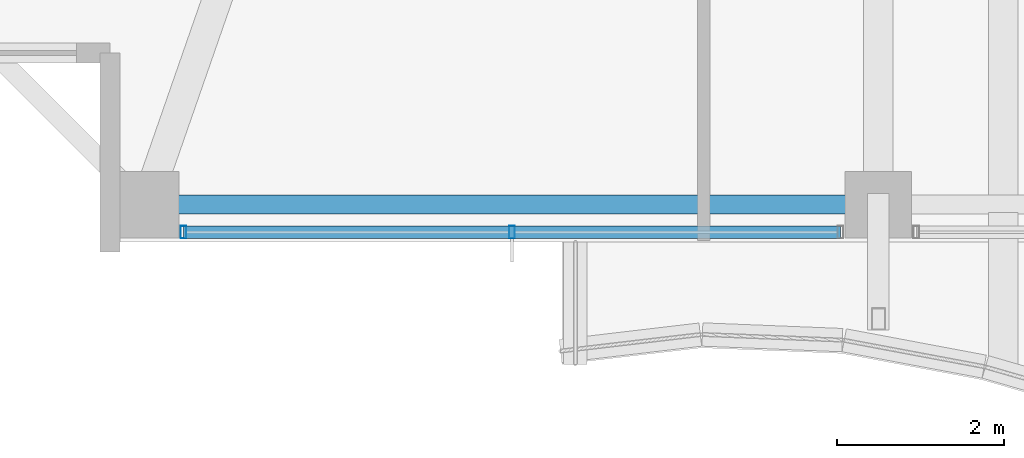
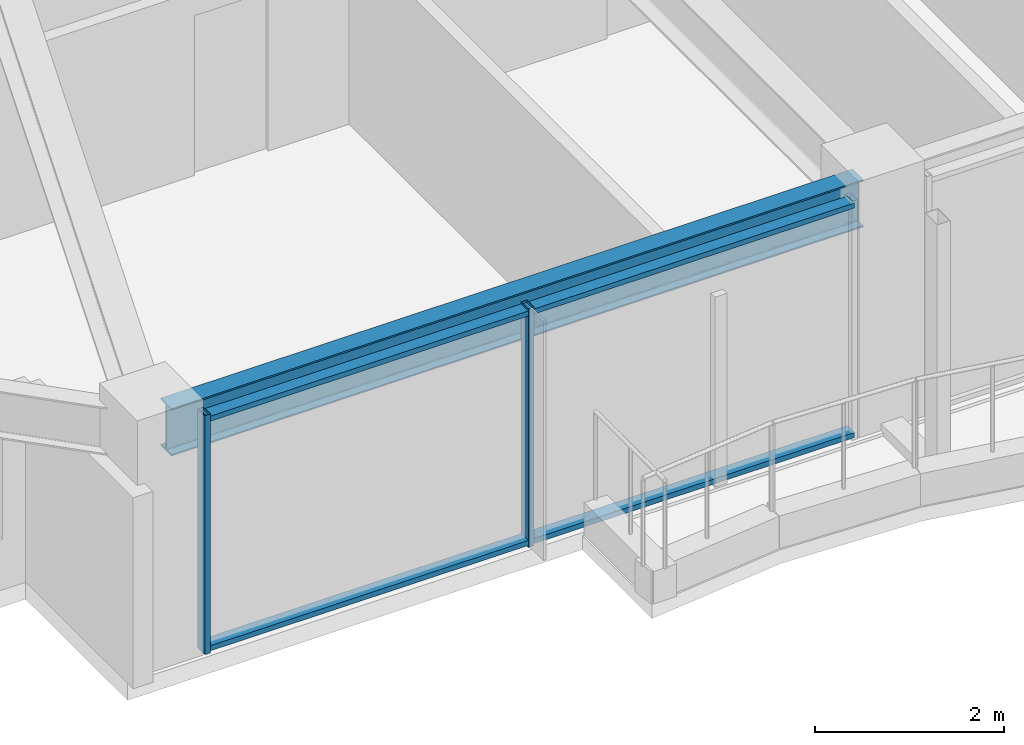
# One storey, part 2 of 38: 4 members, 1 beam, 1 element without a shape of its own.
"""IFC4 building model written with IfcOpenShell, lengths in metres."""

from ifc_helpers import new_model, si_unit, direction, frame, origin, origin_2d, place, context, subcontext, project, spatial, hollow_rectangle, i_section, extrude, material, material_profile, profile_set, type_object, element, aggregate, save


model = new_model("IFC4")

# Units and contexts
model_context = context("Model", 3, precision=1e-05, world=origin(), true_north=direction((0.0, 1.0)))
body_context = subcontext(model_context, "Body", "Model", "MODEL_VIEW")
ifc_project = project(units=[si_unit("LENGTHUNIT", "METRE"), si_unit("AREAUNIT", "SQUARE_METRE"), si_unit("VOLUMEUNIT", "CUBIC_METRE"), si_unit("PLANEANGLEUNIT", "RADIAN"), si_unit("MASSUNIT", "GRAM", prefix="KILO")], contexts=[model_context])

# Site, building, storey
site_placement = place(None, origin())
site = spatial("IfcSite", under=ifc_project, at=site_placement, CompositionType="ELEMENT")
building_placement = place(site_placement, origin())
building = spatial("IfcBuilding", under=site, at=building_placement, Name="Kolvaren Belvedere", CompositionType="ELEMENT")
storey_placement = place(building_placement, frame((0.0, 0.0, 213.0)))
storey = spatial("IfcBuildingStorey", under=building, at=storey_placement, Name="L62", CompositionType="ELEMENT", Elevation=213.0)

# Beam
ifc_material_1 = material(Name="Structural steel ASTM A992 Grade 50", Category="steel")
ifc_material_profile_1 = material_profile(ifc_material_1, i_section(OverallWidth=0.22900390625, OverallDepth=0.612060546875, WebThickness=0.011962890625, FlangeThickness=0.01953125, FilletRadius=0.01806640625, at=origin_2d()), Name="W24X84")
ifc_profile_set_1 = profile_set([ifc_material_profile_1], Name="Structural steel ASTM A992 Grade 50")
beam_type = type_object("IfcBeamType", Name="BM-SPAN-W24X84", PredefinedType="SPANDREL", material=ifc_profile_set_1)
beam_placement = place(storey_placement, frame((-13.219970703125, -19.949951171875, 2.77392578125), z_axis=(1.0, 0.0, 0.0), x_axis=(0.0, 1.0, 0.0)))
element("IfcBeam", 1, at=beam_placement, inside=storey, type_object=beam_type, Name="L62 Perimeter Spandrel S1-S2", PredefinedType="SPANDREL", context=body_context, shape_type="SweptSolid", body=[
    extrude(i_section(OverallWidth=0.22900390625, OverallDepth=0.612060546875, WebThickness=0.011962890625, FlangeThickness=0.01953125, FilletRadius=0.01806640625, at=origin_2d()), origin(), (0.0, 0.0, 1.0), 8.43994140625),
])

# Curtain wall, members
ifc_material_2 = material(Name="Anodised pale-metal aluminium AA 6063-T6", Category="aluminium")
curtain_wall_type = type_object("IfcCurtainWallType", Name="CW-Z5-HIGH", PredefinedType="NOTDEFINED", material=ifc_material_2)
curtain_wall_placement = place(storey_placement, origin())
curtain_wall = element("IfcCurtainWall", 2, at=curtain_wall_placement, inside=storey, type_object=curtain_wall_type, Name="L62 Unitised Curtain Wall FCW-L62-S2-B2", PredefinedType="NOTDEFINED")
ifc_material_3 = material(Name="Anodised pale-metal aluminium AA 6063-T6", Category="aluminium")
ifc_material_profile_2 = material_profile(ifc_material_3, hollow_rectangle(XDim=0.070068359375, YDim=0.14990234375, WallThickness=0.004150390625, at=origin_2d()), Name="ALU-MUL-150X70")
ifc_profile_set_2 = profile_set([ifc_material_profile_2], Name="Anodised pale-metal aluminium AA 6063-T6")
member_type_1 = type_object("IfcMemberType", Name="CW-MUL-150", PredefinedType="MULLION", material=ifc_profile_set_2)
member_1_placement = place(storey_placement, frame((-9.0, -20.280029296875, 0.0), z_axis=(0.0, 0.0, 1.0), x_axis=(1.0, 0.0, 0.0)))
member_1 = element("IfcMember", 3, at=member_1_placement, type_object=member_type_1, Name="FCW-L62-S2-B2 Unitised Mullion 2", PredefinedType="MULLION", context=body_context, shape_type="SweptSolid", body=[
    extrude(hollow_rectangle(XDim=0.070068359375, YDim=0.14990234375, WallThickness=0.004150390625, at=origin_2d()), origin(), (0.0, 0.0, 1.0), 3.080078125),
])
member_2_placement = place(storey_placement, frame((-12.945068359375, -20.280029296875, 0.0), z_axis=(0.0, 0.0, 1.0), x_axis=(1.0, 0.0, 0.0)))
member_2 = element("IfcMember", 4, at=member_2_placement, type_object=member_type_1, Name="FCW-L62-S2-B2 Unitised Mullion 3", PredefinedType="MULLION", context=body_context, shape_type="SweptSolid", body=[
    extrude(hollow_rectangle(XDim=0.070068359375, YDim=0.14990234375, WallThickness=0.004150390625, at=origin_2d()), origin(), (0.0, 0.0, 1.0), 3.080078125),
])
ifc_material_4 = material(Name="Anodised pale-metal aluminium AA 6063-T6", Category="aluminium")
ifc_material_profile_3 = material_profile(ifc_material_4, hollow_rectangle(XDim=0.06494140625, YDim=0.14990234375, WallThickness=0.00390625, at=origin_2d()), Name="ALU-TRN-150X65")
ifc_profile_set_3 = profile_set([ifc_material_profile_3], Name="Anodised pale-metal aluminium AA 6063-T6")
member_type_2 = type_object("IfcMemberType", Name="CW-TRN-150", PredefinedType="USERDEFINED", material=ifc_profile_set_3)
member_3_placement = place(storey_placement, frame((-5.054931640625, -20.280029296875, 0.06005859375), z_axis=(-1.0, 0.0, 0.0), x_axis=(0.0, 0.0, 1.0)))
member_3 = element("IfcMember", 5, at=member_3_placement, type_object=member_type_2, Name="FCW-L62-S2-B2 Sill Transom", ObjectType="TRANSOM", PredefinedType="USERDEFINED", context=body_context, shape_type="SweptSolid", body=[
    extrude(hollow_rectangle(XDim=0.06494140625, YDim=0.14990234375, WallThickness=0.00390625, at=origin_2d()), origin(), (0.0, 0.0, 1.0), 7.89013671875),
])
member_4_placement = place(storey_placement, frame((-5.054931640625, -20.280029296875, 3.02001953125), z_axis=(-1.0, 0.0, 0.0), x_axis=(0.0, 0.0, 1.0)))
member_4 = element("IfcMember", 6, at=member_4_placement, type_object=member_type_2, Name="FCW-L62-S2-B2 Head Transom", ObjectType="TRANSOM", PredefinedType="USERDEFINED", context=body_context, shape_type="SweptSolid", body=[
    extrude(hollow_rectangle(XDim=0.06494140625, YDim=0.14990234375, WallThickness=0.00390625, at=origin_2d()), origin(), (0.0, 0.0, 1.0), 7.89013671875),
])
aggregate(curtain_wall, [member_1, member_2, member_3, member_4])

save(model, "model.ifc")
